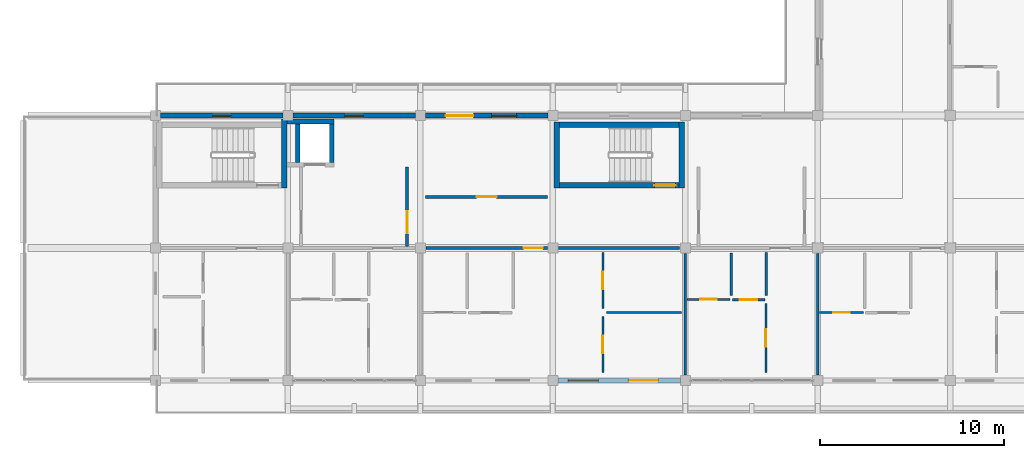
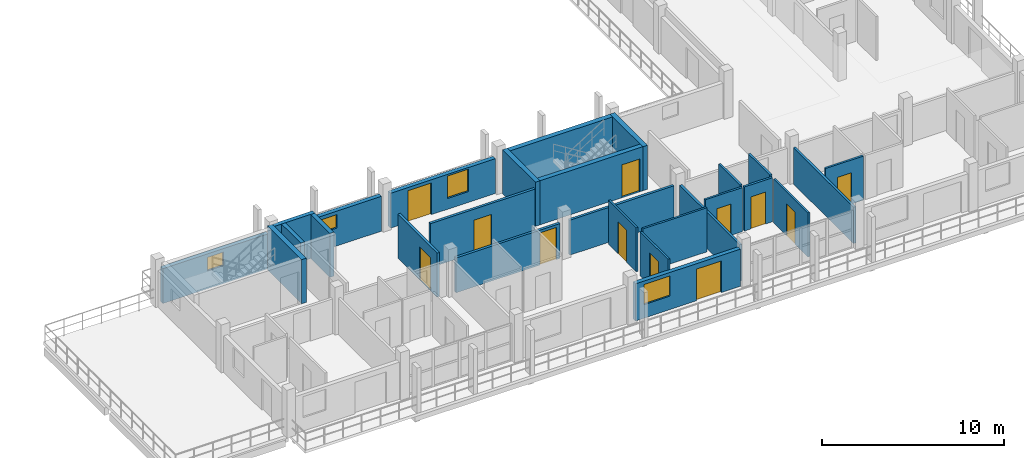
# One storey, part 45 of 65: 27 walls, 12 doors, 4 windows, 16 openings.
"""IFC4 building model written with IfcOpenShell, lengths in metres."""

from ifc_helpers import new_model, si_unit, direction, frame, frame_2d, origin, place, context, subcontext, project, spatial, rectangle, extrude, material, layer, layer_set, type_object, element, fill, save


model = new_model("IFC4")

# Units and contexts
model_context = context("Model", 3, precision=1e-05, world=origin(), true_north=direction((0.0, 1.0)))
body_context = subcontext(model_context, "Body", "Model", "MODEL_VIEW")
ifc_project = project(units=[si_unit("LENGTHUNIT", "METRE"), si_unit("AREAUNIT", "SQUARE_METRE"), si_unit("VOLUMEUNIT", "CUBIC_METRE"), si_unit("PLANEANGLEUNIT", "RADIAN"), si_unit("MASSUNIT", "GRAM", prefix="KILO")], contexts=[model_context])

# Site, building, storey
site_placement = place(None, origin())
site = spatial("IfcSite", under=ifc_project, at=site_placement, CompositionType="ELEMENT")
building_placement = place(site_placement, origin())
building = spatial("IfcBuilding", under=site, at=building_placement, Name="Suanplinth Sawtooth Commons", CompositionType="ELEMENT")
storey_placement = place(building_placement, frame((0.0, 0.0, 28.300048828125)))
storey = spatial("IfcBuildingStorey", under=building, at=storey_placement, Name="L08", CompositionType="ELEMENT", Elevation=28.300048828125)

# Wall
ifc_material_1 = material(Name="Concrete C40/50", Category="concrete")
ifc_layer_1 = layer(ifc_material_1, 0.300048828125, Name="Standard RC stair and lift core wall 300mm")
ifc_layer_set_1 = layer_set([ifc_layer_1], Name="Concrete C40/50")
wall_type_1 = type_object("IfcWallType", Name="W-CR02", PredefinedType="SHEAR", material=ifc_layer_set_1)
wall_1_placement = place(storey_placement, frame((143.800048828125, 10.449951171875, 0.0), z_axis=(0.0, 0.0, 1.0), x_axis=(0.0, 1.0, 0.0)))
element("IfcWall", 1, at=wall_1_placement, inside=storey, type_object=wall_type_1, Name="W-L08-C-C1-STE", PredefinedType="SHEAR", context=body_context, shape_type="SweptSolid", body=[
    extrude(rectangle(XDim=3.75, YDim=0.300048828125, at=frame_2d((1.875, 0.0))), origin(), (0.0, 0.0, 1.0), 2.949951171875),
])

# Wall, opening, door
wall_2_placement = place(storey_placement, frame((158.75, 10.60009765625, 0.0), z_axis=(0.0, 0.0, 1.0), x_axis=(1.0, 0.0, 0.0)))
wall_2 = element("IfcWall", 2, at=wall_2_placement, inside=storey, type_object=wall_type_1, Name="W-L08-C-C2-STS", PredefinedType="SHEAR", context=body_context, shape_type="SweptSolid", body=[
    extrude(rectangle(XDim=6.5, YDim=0.300048828125, at=frame_2d((3.25, 0.0))), origin(), (0.0, 0.0, 1.0), 2.949951171875),
])
opening_1_placement = place(wall_2_placement, frame((5.169921875, 0.0, 0.0)))
opening_1 = element("IfcOpeningElement", 3, at=opening_1_placement, cuts=wall_2, Name="Opening FD0348", PredefinedType="OPENING", context=body_context, shape_type="SweptSolid", body=[
    extrude(rectangle(XDim=1.14990234375, YDim=2.199951171875, at=frame_2d((0.574951171875, 1.10009765625))), frame((0.0, 0.1650390625, 0.0), z_axis=(0.0, -1.0, 0.0), x_axis=(1.0, 0.0, 0.0)), (0.0, 0.0, 1.0), 0.329833984375),
])
ifc_material_2 = material(Name="Teak hardwood fire-rated door assembly", Category="wood")
door_type_1 = type_object("IfcDoorType", Name="FD-01", OperationType="NOTDEFINED", PredefinedType="DOOR", material=ifc_material_2)
door_1_placement = place(opening_1_placement, origin())
door_1 = element("IfcDoor", 4, at=door_1_placement, inside=storey, type_object=door_type_1, Name="Exit Stair Fire Door FD0348", OperationType="SINGLE_SWING_LEFT", OverallHeight=2.199951171875, OverallWidth=1.14990234375, PredefinedType="DOOR", context=body_context, shape_type="SweptSolid", body=[
    extrude(rectangle(XDim=1.14990234375, YDim=2.199951171875, at=frame_2d((0.574951171875, 1.10009765625))), frame((0.0, 0.02490234375, 0.0), z_axis=(0.0, -1.0, 0.0), x_axis=(1.0, 0.0, 0.0)), (0.0, 0.0, 1.0), 0.050048828125),
])
fill(opening_1, door_1)

# Walls
wall_3_placement = place(storey_placement, frame((158.75, 13.89990234375, 0.0), z_axis=(0.0, 0.0, 1.0), x_axis=(1.0, 0.0, 0.0)))
element("IfcWall", 5, at=wall_3_placement, inside=storey, type_object=wall_type_1, Name="W-L08-C-C2-STN", PredefinedType="SHEAR", context=body_context, shape_type="SweptSolid", body=[
    extrude(rectangle(XDim=6.5, YDim=0.300048828125, at=frame_2d((3.25, 0.0))), origin(), (0.0, 0.0, 1.0), 2.949951171875),
])
for number, where, z_axis, x_axis, name in (
    (6, (158.60009765625, 10.449951171875, 0.0), (0.0, 0.0, 1.0), (0.0, 1.0, 0.0), "W-L08-C-C2-STW"),
    (7, (165.39990234375, 10.449951171875, 0.0), (0.0, 0.0, 1.0), (0.0, 1.0, 0.0), "W-L08-C-C2-STE"),
):
    element("IfcWall", number, at=place(storey_placement, frame(where, z_axis=z_axis, x_axis=x_axis)), inside=storey, type_object=wall_type_1, Name=name, PredefinedType="SHEAR", context=body_context, shape_type="SweptSolid", body=[
        extrude(rectangle(XDim=3.60009765625, YDim=0.300048828125, at=frame_2d((1.800048828125, 0.0))), origin(), (0.0, 0.0, 1.0), 2.949951171875),
    ])

# Wall, opening, window
ifc_material_3 = material(Name="Precast concrete C40/50", Category="concrete")
ifc_layer_2 = layer(ifc_material_3, 0.260009765625, Name="Insulated precast courtyard facade wall 260mm")
ifc_layer_set_2 = layer_set([ifc_layer_2], Name="Precast concrete C40/50")
wall_type_2 = type_object("IfcWallType", Name="W-EX02", PredefinedType="ELEMENTEDWALL", material=ifc_layer_set_2)
wall_4_placement = place(storey_placement, frame((137.074951171875, 14.39990234375, 0.0), z_axis=(0.0, 0.0, 1.0), x_axis=(1.0, 0.0, 0.0)))
wall_4 = element("IfcWall", 8, at=wall_4_placement, inside=storey, type_object=wall_type_2, Name="Facade Wall W-L08-C-N-19-1", PredefinedType="ELEMENTEDWALL", context=body_context, shape_type="SweptSolid", body=[
    extrude(rectangle(XDim=6.650146484375, YDim=0.260009765625, at=frame_2d((3.3251953125, 0.0))), origin(), (0.0, 0.0, 1.0), 2.3349609375),
])
opening_2_placement = place(wall_4_placement, frame((2.824951171875, 0.0, 1.199951171875)))
opening_2 = element("IfcOpeningElement", 9, at=opening_2_placement, cuts=wall_4, Name="Opening W0742", PredefinedType="OPENING", context=body_context, shape_type="SweptSolid", body=[
    extrude(rectangle(XDim=1.0, YDim=0.89990234375, at=frame_2d((0.5, 0.449951171875))), frame((0.0, 0.14501953125, 0.0), z_axis=(0.0, -1.0, 0.0), x_axis=(1.0, 0.0, 0.0)), (0.0, 0.0, 1.0), 0.289794921875),
])
ifc_material_4 = material(Name="Thermally broken aluminium and low-E double glazing", Category="aluminium")
window_type_1 = type_object("IfcWindowType", Name="WN-12", PartitioningType="SINGLE_PANEL", PredefinedType="WINDOW", material=ifc_material_4)
window_1_placement = place(opening_2_placement, origin())
window_1 = element("IfcWindow", 10, at=window_1_placement, inside=storey, type_object=window_type_1, Name="Core Daylight Window L08-C-19-1", OverallHeight=0.89990234375, OverallWidth=1.0, PartitioningType="SINGLE_PANEL", PredefinedType="WINDOW", context=body_context, shape_type="SweptSolid", body=[
    extrude(rectangle(XDim=1.0, YDim=0.89990234375, at=frame_2d((0.5, 0.449951171875))), frame((0.0, 0.030029296875, 0.0), z_axis=(0.0, -1.0, 0.0), x_axis=(1.0, 0.0, 0.0)), (0.0, 0.0, 1.0), 0.06005859375),
])
fill(opening_2, window_1)

wall_5_placement = place(storey_placement, frame((144.27490234375, 14.39990234375, 0.0), z_axis=(0.0, 0.0, 1.0), x_axis=(1.0, 0.0, 0.0)))
wall_5 = element("IfcWall", 11, at=wall_5_placement, inside=storey, type_object=wall_type_2, Name="Facade Wall W-L08-C-N-20-1", PredefinedType="ELEMENTEDWALL", context=body_context, shape_type="SweptSolid", body=[
    extrude(rectangle(XDim=6.650146484375, YDim=0.260009765625, at=frame_2d((3.3251953125, 0.0))), origin(), (0.0, 0.0, 1.0), 2.3349609375),
])
opening_3_placement = place(wall_5_placement, frame((2.824951171875, 0.0, 1.199951171875)))
opening_3 = element("IfcOpeningElement", 12, at=opening_3_placement, cuts=wall_5, Name="Opening W0744", PredefinedType="OPENING", context=body_context, shape_type="SweptSolid", body=[
    extrude(rectangle(XDim=1.0, YDim=0.89990234375, at=frame_2d((0.5, 0.449951171875))), frame((0.0, 0.14501953125, 0.0), z_axis=(0.0, -1.0, 0.0), x_axis=(1.0, 0.0, 0.0)), (0.0, 0.0, 1.0), 0.289794921875),
])
window_2_placement = place(opening_3_placement, origin())
window_2 = element("IfcWindow", 13, at=window_2_placement, inside=storey, type_object=window_type_1, Name="Core Daylight Window L08-C-20-1", OverallHeight=0.89990234375, OverallWidth=1.0, PartitioningType="SINGLE_PANEL", PredefinedType="WINDOW", context=body_context, shape_type="SweptSolid", body=[
    extrude(rectangle(XDim=1.0, YDim=0.89990234375, at=frame_2d((0.5, 0.449951171875))), frame((0.0, 0.030029296875, 0.0), z_axis=(0.0, -1.0, 0.0), x_axis=(1.0, 0.0, 0.0)), (0.0, 0.0, 1.0), 0.06005859375),
])
fill(opening_3, window_2)

# Wall, openings, door, window
wall_6_placement = place(storey_placement, frame((151.47509765625, 14.39990234375, 0.0), z_axis=(0.0, 0.0, 1.0), x_axis=(1.0, 0.0, 0.0)))
wall_6 = element("IfcWall", 14, at=wall_6_placement, inside=storey, type_object=wall_type_2, Name="Facade Wall W-L08-C-N-21-1", PredefinedType="ELEMENTEDWALL", context=body_context, shape_type="SweptSolid", body=[
    extrude(rectangle(XDim=6.64990234375, YDim=0.260009765625, at=frame_2d((3.324951171875, 0.0))), origin(), (0.0, 0.0, 1.0), 2.3349609375),
])
opening_4_placement = place(wall_6_placement, frame((1.10009765625, 0.0, 0.0)))
opening_4 = element("IfcOpeningElement", 15, at=opening_4_placement, cuts=wall_6, Name="Opening ED0663", PredefinedType="OPENING", context=body_context, shape_type="SweptSolid", body=[
    extrude(rectangle(XDim=1.5, YDim=2.1201171875, at=frame_2d((0.75, 1.06005859375))), frame((0.0, 0.14501953125, 0.0), z_axis=(0.0, -1.0, 0.0), x_axis=(1.0, 0.0, 0.0)), (0.0, 0.0, 1.0), 0.289794921875),
])
opening_5_placement = place(wall_6_placement, frame((3.60009765625, 0.0, 0.72509765625)))
opening_5 = element("IfcOpeningElement", 16, at=opening_5_placement, cuts=wall_6, Name="Opening W0746", PredefinedType="OPENING", context=body_context, shape_type="SweptSolid", body=[
    extrude(rectangle(XDim=1.35009765625, YDim=1.5, at=frame_2d((0.675048828125, 0.75))), frame((0.0, 0.14501953125, 0.0), z_axis=(0.0, -1.0, 0.0), x_axis=(1.0, 0.0, 0.0)), (0.0, 0.0, 1.0), 0.289794921875),
])
ifc_material_5 = material(Name="Anodized aluminium and low-E glass", Category="aluminium")
door_type_2 = type_object("IfcDoorType", Name="SD-03", OperationType="SLIDING_TO_LEFT", PredefinedType="DOOR", material=ifc_material_5)
door_2_placement = place(opening_4_placement, frame((1.5, 0.0, 0.0), z_axis=(0.0, 0.0, 1.0), x_axis=(-1.0, 0.0, 0.0)))
door_2 = element("IfcDoor", 17, at=door_2_placement, inside=storey, type_object=door_type_2, Name="Courtyard Balcony Door L08-C-21", OperationType="SLIDING_TO_LEFT", OverallHeight=2.1201171875, OverallWidth=1.5, PredefinedType="DOOR", context=body_context, shape_type="SweptSolid", body=[
    extrude(rectangle(XDim=1.5, YDim=2.1201171875, at=frame_2d((0.75, 1.06005859375))), frame((0.0, 0.02490234375, 0.0), z_axis=(0.0, -1.0, 0.0), x_axis=(1.0, 0.0, 0.0)), (0.0, 0.0, 1.0), 0.050048828125),
])
fill(opening_4, door_2)
window_type_2 = type_object("IfcWindowType", Name="WN-14", PartitioningType="SINGLE_PANEL", PredefinedType="WINDOW", material=ifc_material_4)
window_3_placement = place(opening_5_placement, origin())
window_3 = element("IfcWindow", 18, at=window_3_placement, inside=storey, type_object=window_type_2, Name="Courtyard Window L08-C-21", OverallHeight=1.5, OverallWidth=1.35009765625, PartitioningType="SINGLE_PANEL", PredefinedType="WINDOW", context=body_context, shape_type="SweptSolid", body=[
    extrude(rectangle(XDim=1.35009765625, YDim=1.5, at=frame_2d((0.675048828125, 0.75))), frame((0.0, 0.030029296875, 0.0), z_axis=(0.0, -1.0, 0.0), x_axis=(1.0, 0.0, 0.0)), (0.0, 0.0, 1.0), 0.06005859375),
])
fill(opening_5, window_3)

wall_7_placement = place(storey_placement, frame((158.675048828125, 0.0, 0.0), z_axis=(0.0, 0.0, 1.0), x_axis=(1.0, 0.0, 0.0)))
wall_7 = element("IfcWall", 19, at=wall_7_placement, inside=storey, type_object=wall_type_2, Name="Facade Wall W-L08-C-S-22-0", PredefinedType="ELEMENTEDWALL", context=body_context, shape_type="SweptSolid", body=[
    extrude(rectangle(XDim=6.64990234375, YDim=0.260009765625, at=frame_2d((3.324951171875, 0.0))), origin(), (0.0, 0.0, 1.0), 2.48486328125),
])
opening_6_placement = place(wall_7_placement, frame((3.85009765625, 0.0, 0.0)))
opening_6 = element("IfcOpeningElement", 20, at=opening_6_placement, cuts=wall_7, Name="Opening ED0664", PredefinedType="OPENING", context=body_context, shape_type="SweptSolid", body=[
    extrude(rectangle(XDim=1.60009765625, YDim=2.1201171875, at=frame_2d((0.800048828125, 1.06005859375))), frame((0.0, 0.14501953125, 0.0), z_axis=(0.0, -1.0, 0.0), x_axis=(1.0, 0.0, 0.0)), (0.0, 0.0, 1.0), 0.289794921875),
])
opening_7_placement = place(wall_7_placement, frame((0.550048828125, 0.0, 0.89990234375)))
opening_7 = element("IfcOpeningElement", 21, at=opening_7_placement, cuts=wall_7, Name="Opening W0747", PredefinedType="OPENING", context=body_context, shape_type="SweptSolid", body=[
    extrude(rectangle(XDim=1.64990234375, YDim=1.35009765625, at=frame_2d((0.824951171875, 0.675048828125))), frame((0.0, 0.14501953125, 0.0), z_axis=(0.0, -1.0, 0.0), x_axis=(1.0, 0.0, 0.0)), (0.0, 0.0, 1.0), 0.289794921875),
])
door_type_3 = type_object("IfcDoorType", Name="SD-02", OperationType="SLIDING_TO_RIGHT", PredefinedType="DOOR", material=ifc_material_5)
door_3_placement = place(opening_6_placement, frame((1.60009765625, 0.0, 0.0), z_axis=(0.0, 0.0, 1.0), x_axis=(-1.0, 0.0, 0.0)))
door_3 = element("IfcDoor", 22, at=door_3_placement, inside=storey, type_object=door_type_3, Name="Balcony Sliding Door L08-C-22", OperationType="SLIDING_TO_RIGHT", OverallHeight=2.1201171875, OverallWidth=1.60009765625, PredefinedType="DOOR", context=body_context, shape_type="SweptSolid", body=[
    extrude(rectangle(XDim=1.60009765625, YDim=2.1201171875, at=frame_2d((0.800048828125, 1.06005859375))), frame((0.0, 0.02490234375, 0.0), z_axis=(0.0, -1.0, 0.0), x_axis=(1.0, 0.0, 0.0)), (0.0, 0.0, 1.0), 0.050048828125),
])
fill(opening_6, door_3)
window_type_3 = type_object("IfcWindowType", Name="WN-19", PartitioningType="DOUBLE_PANEL_VERTICAL", PredefinedType="WINDOW", material=ifc_material_4)
window_4_placement = place(opening_7_placement, origin())
window_4 = element("IfcWindow", 23, at=window_4_placement, inside=storey, type_object=window_type_3, Name="Apartment Window L08-C-22", OverallHeight=1.35009765625, OverallWidth=1.64990234375, PartitioningType="DOUBLE_PANEL_VERTICAL", PredefinedType="WINDOW", context=body_context, shape_type="SweptSolid", body=[
    extrude(rectangle(XDim=1.64990234375, YDim=1.35009765625, at=frame_2d((0.824951171875, 0.675048828125))), frame((0.0, 0.030029296875, 0.0), z_axis=(0.0, -1.0, 0.0), x_axis=(1.0, 0.0, 0.0)), (0.0, 0.0, 1.0), 0.06005859375),
])
fill(opening_7, window_4)

# Wall, opening, door
ifc_layer_3 = layer(ifc_material_3, 0.159912109375, Name="Fire-rated corridor and lobby wall 160mm")
ifc_layer_set_3 = layer_set([ifc_layer_3], Name="Precast concrete C40/50")
wall_type_3 = type_object("IfcWallType", Name="W-FW01", PredefinedType="PARTITIONING", material=ifc_layer_set_3)
wall_8_placement = place(storey_placement, frame((150.47998046875, 7.280029296875, 0.0), z_axis=(0.0, 0.0, 1.0), x_axis=(0.0, 1.0, 0.0)))
wall_8 = element("IfcWall", 24, at=wall_8_placement, inside=storey, type_object=wall_type_3, Name="W-L08-C-C1-LOB-E", PredefinedType="PARTITIONING", context=body_context, shape_type="SweptSolid", body=[
    extrude(rectangle(XDim=4.320068359375, YDim=0.159912109375, at=frame_2d((2.16015625, 0.0))), origin(), (0.0, 0.0, 1.0), 2.949951171875),
])
opening_8_placement = place(wall_8_placement, frame((0.719970703125, 0.0, 0.0)))
opening_8 = element("IfcOpeningElement", 25, at=opening_8_placement, cuts=wall_8, Name="Opening FD0314", PredefinedType="OPENING", context=body_context, shape_type="SweptSolid", body=[
    extrude(rectangle(XDim=1.199951171875, YDim=2.199951171875, at=frame_2d((0.60009765625, 1.10009765625))), frame((0.0, 0.0947265625, 0.0), z_axis=(0.0, -1.0, 0.0), x_axis=(1.0, 0.0, 0.0)), (0.0, 0.0, 1.0), 0.189697265625),
])
door_type_4 = type_object("IfcDoorType", Name="FD-02", OperationType="NOTDEFINED", PredefinedType="DOOR", material=ifc_material_2)
door_4_placement = place(opening_8_placement, frame((1.199951171875, 0.0, 0.0), z_axis=(0.0, 0.0, 1.0), x_axis=(-1.0, 0.0, 0.0)))
door_4 = element("IfcDoor", 26, at=door_4_placement, inside=storey, type_object=door_type_4, Name="Lobby Fire Door FD0314", OperationType="SINGLE_SWING_RIGHT", OverallHeight=2.199951171875, OverallWidth=1.199951171875, PredefinedType="DOOR", context=body_context, shape_type="SweptSolid", body=[
    extrude(rectangle(XDim=1.199951171875, YDim=2.199951171875, at=frame_2d((0.60009765625, 1.10009765625))), frame((0.0, 0.02490234375, 0.0), z_axis=(0.0, -1.0, 0.0), x_axis=(1.0, 0.0, 0.0)), (0.0, 0.0, 1.0), 0.050048828125),
])
fill(opening_8, door_4)

wall_9_placement = place(storey_placement, frame((151.5048828125, 7.199951171875, 0.0), z_axis=(0.0, 0.0, 1.0), x_axis=(1.0, 0.0, 0.0)))
wall_9 = element("IfcWall", 27, at=wall_9_placement, inside=storey, type_object=wall_type_3, Name="W-C-L08-U03-COR-S1", PredefinedType="PARTITIONING", context=body_context, shape_type="SweptSolid", body=[
    extrude(rectangle(XDim=6.590087890625, YDim=0.159912109375, at=frame_2d((3.294921875, 0.0))), origin(), (0.0, 0.0, 1.0), 2.3349609375),
])
opening_9_placement = place(wall_9_placement, frame((5.300048828125, 0.0, 0.0)))
opening_9 = element("IfcOpeningElement", 28, at=opening_9_placement, cuts=wall_9, Name="Opening FD1708", PredefinedType="OPENING", context=body_context, shape_type="SweptSolid", body=[
    extrude(rectangle(XDim=1.050048828125, YDim=2.14990234375, at=frame_2d((0.52490234375, 1.074951171875))), frame((0.0, 0.0947265625, 0.0), z_axis=(0.0, -1.0, 0.0), x_axis=(1.0, 0.0, 0.0)), (0.0, 0.0, 1.0), 0.189697265625),
])
door_type_5 = type_object("IfcDoorType", Name="FD-04", OperationType="NOTDEFINED", PredefinedType="DOOR", material=ifc_material_2)
door_5_placement = place(opening_9_placement, frame((1.050048828125, 0.0, 0.0), z_axis=(0.0, 0.0, 1.0), x_axis=(-1.0, 0.0, 0.0)))
door_5 = element("IfcDoor", 29, at=door_5_placement, inside=storey, type_object=door_type_5, Name="Unit Entrance Door FD1708", OperationType="SINGLE_SWING_RIGHT", OverallHeight=2.14990234375, OverallWidth=1.050048828125, PredefinedType="DOOR", context=body_context, shape_type="SweptSolid", body=[
    extrude(rectangle(XDim=1.050048828125, YDim=2.14990234375, at=frame_2d((0.52490234375, 1.074951171875))), frame((0.0, 0.02490234375, 0.0), z_axis=(0.0, -1.0, 0.0), x_axis=(1.0, 0.0, 0.0)), (0.0, 0.0, 1.0), 0.050048828125),
])
fill(opening_9, door_5)

# Wall
wall_10_placement = place(storey_placement, frame((158.705078125, 7.199951171875, 0.0), z_axis=(0.0, 0.0, 1.0), x_axis=(1.0, 0.0, 0.0)))
element("IfcWall", 30, at=wall_10_placement, inside=storey, type_object=wall_type_3, Name="W-C-L08-U03-COR-S2", PredefinedType="PARTITIONING", context=body_context, shape_type="SweptSolid", body=[
    extrude(rectangle(XDim=6.58984375, YDim=0.159912109375, at=frame_2d((3.294921875, 0.0))), origin(), (0.0, 0.0, 1.0), 2.3349609375),
])

# Wall, opening, door
wall_11_placement = place(storey_placement, frame((151.47998046875, 9.97998046875, 0.0), z_axis=(0.0, 0.0, 1.0), x_axis=(1.0, 0.0, 0.0)))
wall_11 = element("IfcWall", 31, at=wall_11_placement, inside=storey, type_object=wall_type_3, Name="W-C-L08-COURTROOM-35-COR", PredefinedType="PARTITIONING", context=body_context, shape_type="SweptSolid", body=[
    extrude(rectangle(XDim=6.64013671875, YDim=0.159912109375, at=frame_2d((3.320068359375, 0.0))), origin(), (0.0, 0.0, 1.0), 2.949951171875),
])
opening_10_placement = place(wall_11_placement, frame((2.780029296875, 0.0, 0.0)))
opening_10 = element("IfcOpeningElement", 32, at=opening_10_placement, cuts=wall_11, Name="Opening D1722", PredefinedType="OPENING", context=body_context, shape_type="SweptSolid", body=[
    extrude(rectangle(XDim=1.080078125, YDim=2.219970703125, at=frame_2d((0.5400390625, 1.10986328125))), frame((0.0, 0.0947265625, 0.0), z_axis=(0.0, -1.0, 0.0), x_axis=(1.0, 0.0, 0.0)), (0.0, 0.0, 1.0), 0.189697265625),
])
ifc_material_6 = material(Name="Teak hardwood", Category="wood")
door_type_6 = type_object("IfcDoorType", Name="D-17", OperationType="NOTDEFINED", PredefinedType="DOOR", material=ifc_material_6)
door_6_placement = place(opening_10_placement, origin())
door_6 = element("IfcDoor", 33, at=door_6_placement, inside=storey, type_object=door_type_6, Name="Study Studio Door D1722", OperationType="SINGLE_SWING_RIGHT", OverallHeight=2.219970703125, OverallWidth=1.080078125, PredefinedType="DOOR", context=body_context, shape_type="SweptSolid", body=[
    extrude(rectangle(XDim=1.080078125, YDim=2.219970703125, at=frame_2d((0.5400390625, 1.10986328125))), frame((0.0, 0.02490234375, 0.0), z_axis=(0.0, -1.0, 0.0), x_axis=(1.0, 0.0, 0.0)), (0.0, 0.0, 1.0), 0.050048828125),
])
fill(opening_10, door_6)

# Walls
ifc_layer_4 = layer(ifc_material_3, 0.14990234375, Name="Acoustic precast party demising wall 150mm")
ifc_layer_set_4 = layer_set([ifc_layer_4], Name="Precast concrete C40/50")
wall_type_4 = type_object("IfcWallType", Name="W-FW02", PredefinedType="PARTITIONING", material=ifc_layer_set_4)
for number, where, z_axis, x_axis, name in (
    (34, (165.60009765625, 0.304931640625, 0.0), (0.0, 0.0, 1.0), (0.0, 1.0, 0.0), "W-C-L08-U03-PTY"),
    (35, (172.800048828125, 0.304931640625, 0.0), (0.0, 0.0, 1.0), (0.0, 1.0, 0.0), "W-C-L08-U04-PTY"),
):
    element("IfcWall", number, at=place(storey_placement, frame(where, z_axis=z_axis, x_axis=x_axis)), inside=storey, type_object=wall_type_4, Name=name, PredefinedType="PARTITIONING", context=body_context, shape_type="SweptSolid", body=[
        extrude(rectangle(XDim=6.590087890625, YDim=0.14990234375, at=frame_2d((3.294921875, 0.0))), origin(), (0.0, 0.0, 1.0), 2.43505859375),
    ])

# Wall, opening, door
ifc_material_7 = material(Name="Gypsum plasterboard on steel stud", Category="steel")
ifc_layer_5 = layer(ifc_material_7, 0.139892578125, Name="Fire-rated kitchen partition 140mm")
ifc_layer_set_5 = layer_set([ifc_layer_5], Name="Gypsum plasterboard on steel stud")
wall_type_5 = type_object("IfcWallType", Name="W-PT01", PredefinedType="PARTITIONING", material=ifc_layer_set_5)
wall_12_placement = place(storey_placement, frame((168.14990234375, 4.39990234375, 0.0), z_axis=(0.0, 0.0, 1.0), x_axis=(1.0, 0.0, 0.0)))
wall_12 = element("IfcWall", 36, at=wall_12_placement, inside=storey, type_object=wall_type_5, Name="W-C-L08-U04-KIT1", PredefinedType="PARTITIONING", context=body_context, shape_type="SweptSolid", body=[
    extrude(rectangle(XDim=1.77001953125, YDim=0.139892578125, at=frame_2d((0.885009765625, 0.0))), origin(), (0.0, 0.0, 1.0), 2.949951171875),
])
opening_11_placement = place(wall_12_placement, frame((0.419921875, 0.0, 0.0)))
opening_11 = element("IfcOpeningElement", 37, at=opening_11_placement, cuts=wall_12, Name="Opening D1715", PredefinedType="OPENING", context=body_context, shape_type="SweptSolid", body=[
    extrude(rectangle(XDim=0.929931640625, YDim=2.139892578125, at=frame_2d((0.46484375, 1.06982421875))), frame((0.0, 0.0849609375, 0.0), z_axis=(0.0, -1.0, 0.0), x_axis=(1.0, 0.0, 0.0)), (0.0, 0.0, 1.0), 0.169677734375),
])
door_type_7 = type_object("IfcDoorType", Name="D-19", OperationType="NOTDEFINED", PredefinedType="DOOR", material=ifc_material_6)
door_7_placement = place(opening_11_placement, origin())
door_7 = element("IfcDoor", 38, at=door_7_placement, inside=storey, type_object=door_type_7, Name="Kitchen Door D1715", OperationType="SINGLE_SWING_LEFT", OverallHeight=2.139892578125, OverallWidth=0.929931640625, PredefinedType="DOOR", context=body_context, shape_type="SweptSolid", body=[
    extrude(rectangle(XDim=0.929931640625, YDim=2.139892578125, at=frame_2d((0.46484375, 1.06982421875))), frame((0.0, 0.02490234375, 0.0), z_axis=(0.0, -1.0, 0.0), x_axis=(1.0, 0.0, 0.0)), (0.0, 0.0, 1.0), 0.050048828125),
])
fill(opening_11, door_7)

# Wall
wall_13_placement = place(storey_placement, frame((169.989990234375, 4.6201171875, 0.0), z_axis=(0.0, 0.0, 1.0), x_axis=(0.0, 1.0, 0.0)))
element("IfcWall", 39, at=wall_13_placement, inside=storey, type_object=wall_type_5, Name="W-C-L08-U04-KIT2", PredefinedType="PARTITIONING", context=body_context, shape_type="SweptSolid", body=[
    extrude(rectangle(XDim=2.349853515625, YDim=0.139892578125, at=frame_2d((1.1748046875, 0.0))), origin(), (0.0, 0.0, 1.0), 2.949951171875),
])

# Wall, opening, door
ifc_layer_6 = layer(ifc_material_7, 0.1298828125, Name="Moisture-resistant bathroom partition 130mm")
ifc_layer_set_6 = layer_set([ifc_layer_6], Name="Gypsum plasterboard on steel stud")
wall_type_6 = type_object("IfcWallType", Name="W-PT02", PredefinedType="PARTITIONING", material=ifc_layer_set_6)
wall_14_placement = place(storey_placement, frame((165.679931640625, 4.405029296875, 0.0), z_axis=(0.0, 0.0, 1.0), x_axis=(1.0, 0.0, 0.0)))
wall_14 = element("IfcWall", 40, at=wall_14_placement, inside=storey, type_object=wall_type_6, Name="W-C-L08-U04-BTH1", PredefinedType="PARTITIONING", context=body_context, shape_type="SweptSolid", body=[
    extrude(rectangle(XDim=2.35009765625, YDim=0.1298828125, at=frame_2d((1.175048828125, 0.0))), origin(), (0.0, 0.0, 1.0), 2.949951171875),
])
opening_12_placement = place(wall_14_placement, frame((0.72509765625, 0.0, 0.0)))
opening_12 = element("IfcOpeningElement", 41, at=opening_12_placement, cuts=wall_14, Name="Opening D1714", PredefinedType="OPENING", context=body_context, shape_type="SweptSolid", body=[
    extrude(rectangle(XDim=0.89990234375, YDim=2.10009765625, at=frame_2d((0.449951171875, 1.050048828125))), frame((0.0, 0.079833984375, 0.0), z_axis=(0.0, -1.0, 0.0), x_axis=(1.0, 0.0, 0.0)), (0.0, 0.0, 1.0), 0.15966796875),
])
door_type_8 = type_object("IfcDoorType", Name="D-01", OperationType="NOTDEFINED", PredefinedType="DOOR", material=ifc_material_6)
door_8_placement = place(opening_12_placement, origin())
door_8 = element("IfcDoor", 42, at=door_8_placement, inside=storey, type_object=door_type_8, Name="Bathroom Door D1714", OperationType="SINGLE_SWING_RIGHT", OverallHeight=2.10009765625, OverallWidth=0.89990234375, PredefinedType="DOOR", context=body_context, shape_type="SweptSolid", body=[
    extrude(rectangle(XDim=0.89990234375, YDim=2.10009765625, at=frame_2d((0.449951171875, 1.050048828125))), frame((0.0, 0.02490234375, 0.0), z_axis=(0.0, -1.0, 0.0), x_axis=(1.0, 0.0, 0.0)), (0.0, 0.0, 1.0), 0.050048828125),
])
fill(opening_12, door_8)

# Wall
wall_15_placement = place(storey_placement, frame((168.094970703125, 4.610107421875, 0.0), z_axis=(0.0, 0.0, 1.0), x_axis=(0.0, 1.0, 0.0)))
element("IfcWall", 43, at=wall_15_placement, inside=storey, type_object=wall_type_6, Name="W-C-L08-U04-BTH2", PredefinedType="PARTITIONING", context=body_context, shape_type="SweptSolid", body=[
    extrude(rectangle(XDim=2.329833984375, YDim=0.1298828125, at=frame_2d((1.1650390625, 0.0))), origin(), (0.0, 0.0, 1.0), 2.949951171875),
])

# Wall, opening, door
wall_16_placement = place(storey_placement, frame((172.8798828125, 3.695068359375, 0.0), z_axis=(0.0, 0.0, 1.0), x_axis=(1.0, 0.0, 0.0)))
wall_16 = element("IfcWall", 44, at=wall_16_placement, inside=storey, type_object=wall_type_6, Name="W-C-L08-U05-BTH1", PredefinedType="PARTITIONING", context=body_context, shape_type="SweptSolid", body=[
    extrude(rectangle(XDim=2.400146484375, YDim=0.1298828125, at=frame_2d((1.2001953125, 0.0))), origin(), (0.0, 0.0, 1.0), 2.949951171875),
])
opening_13_placement = place(wall_16_placement, frame((0.75, 0.0, 0.0)))
opening_13 = element("IfcOpeningElement", 45, at=opening_13_placement, cuts=wall_16, Name="Opening D1718", PredefinedType="OPENING", context=body_context, shape_type="SweptSolid", body=[
    extrude(rectangle(XDim=0.89990234375, YDim=2.10009765625, at=frame_2d((0.449951171875, 1.050048828125))), frame((0.0, 0.079833984375, 0.0), z_axis=(0.0, -1.0, 0.0), x_axis=(1.0, 0.0, 0.0)), (0.0, 0.0, 1.0), 0.15966796875),
])
door_9_placement = place(opening_13_placement, origin())
door_9 = element("IfcDoor", 46, at=door_9_placement, inside=storey, type_object=door_type_8, Name="Bathroom Door D1718", OperationType="SINGLE_SWING_RIGHT", OverallHeight=2.10009765625, OverallWidth=0.89990234375, PredefinedType="DOOR", context=body_context, shape_type="SweptSolid", body=[
    extrude(rectangle(XDim=0.89990234375, YDim=2.10009765625, at=frame_2d((0.449951171875, 1.050048828125))), frame((0.0, 0.02490234375, 0.0), z_axis=(0.0, -1.0, 0.0), x_axis=(1.0, 0.0, 0.0)), (0.0, 0.0, 1.0), 0.050048828125),
])
fill(opening_13, door_9)

ifc_layer_7 = layer(ifc_material_7, 0.1201171875, Name="Acoustic bedroom partition 120mm")
ifc_layer_set_7 = layer_set([ifc_layer_7], Name="Gypsum plasterboard on steel stud")
wall_type_7 = type_object("IfcWallType", Name="W-PT03", PredefinedType="PARTITIONING", material=ifc_layer_set_7)
wall_17_placement = place(storey_placement, frame((161.1201171875, 0.43994140625, 0.0), z_axis=(0.0, 0.0, 1.0), x_axis=(0.0, 1.0, 0.0)))
wall_17 = element("IfcWall", 47, at=wall_17_placement, inside=storey, type_object=wall_type_7, Name="W-C-L08-U03-BED1", PredefinedType="PARTITIONING", context=body_context, shape_type="SweptSolid", body=[
    extrude(rectangle(XDim=3.0400390625, YDim=0.1201171875, at=frame_2d((1.52001953125, 0.0))), origin(), (0.0, 0.0, 1.0), 2.949951171875),
])
opening_14_placement = place(wall_17_placement, frame((1.044921875, 0.0, 0.0)))
opening_14 = element("IfcOpeningElement", 48, at=opening_14_placement, cuts=wall_17, Name="Opening D1711", PredefinedType="OPENING", context=body_context, shape_type="SweptSolid", body=[
    extrude(rectangle(XDim=0.949951171875, YDim=2.14990234375, at=frame_2d((0.47509765625, 1.074951171875))), frame((0.0, 0.074951171875, 0.0), z_axis=(0.0, -1.0, 0.0), x_axis=(1.0, 0.0, 0.0)), (0.0, 0.0, 1.0), 0.14990234375),
])
door_type_9 = type_object("IfcDoorType", Name="D-03", OperationType="NOTDEFINED", PredefinedType="DOOR", material=ifc_material_6)
door_10_placement = place(opening_14_placement, frame((0.949951171875, 0.0, 0.0), z_axis=(0.0, 0.0, 1.0), x_axis=(-1.0, 0.0, 0.0)))
door_10 = element("IfcDoor", 49, at=door_10_placement, inside=storey, type_object=door_type_9, Name="Bedroom Door D1711", OperationType="SINGLE_SWING_LEFT", OverallHeight=2.14990234375, OverallWidth=0.949951171875, PredefinedType="DOOR", context=body_context, shape_type="SweptSolid", body=[
    extrude(rectangle(XDim=0.949951171875, YDim=2.14990234375, at=frame_2d((0.47509765625, 1.074951171875))), frame((0.0, 0.02490234375, 0.0), z_axis=(0.0, -1.0, 0.0), x_axis=(1.0, 0.0, 0.0)), (0.0, 0.0, 1.0), 0.050048828125),
])
fill(opening_14, door_10)

wall_18_placement = place(storey_placement, frame((161.1201171875, 3.919921875, 0.0), z_axis=(0.0, 0.0, 1.0), x_axis=(0.0, 1.0, 0.0)))
wall_18 = element("IfcWall", 50, at=wall_18_placement, inside=storey, type_object=wall_type_7, Name="W-C-L08-U03-BED2", PredefinedType="PARTITIONING", context=body_context, shape_type="SweptSolid", body=[
    extrude(rectangle(XDim=3.0400390625, YDim=0.1201171875, at=frame_2d((1.52001953125, 0.0))), origin(), (0.0, 0.0, 1.0), 2.949951171875),
])
opening_15_placement = place(wall_18_placement, frame((1.0400390625, 0.0, 0.0)))
opening_15 = element("IfcOpeningElement", 51, at=opening_15_placement, cuts=wall_18, Name="Opening D1712", PredefinedType="OPENING", context=body_context, shape_type="SweptSolid", body=[
    extrude(rectangle(XDim=0.9599609375, YDim=2.14990234375, at=frame_2d((0.47998046875, 1.074951171875))), frame((0.0, 0.074951171875, 0.0), z_axis=(0.0, -1.0, 0.0), x_axis=(1.0, 0.0, 0.0)), (0.0, 0.0, 1.0), 0.14990234375),
])
door_type_10 = type_object("IfcDoorType", Name="D-13", OperationType="NOTDEFINED", PredefinedType="DOOR", material=ifc_material_6)
door_11_placement = place(opening_15_placement, frame((0.9599609375, 0.0, 0.0), z_axis=(0.0, 0.0, 1.0), x_axis=(-1.0, 0.0, 0.0)))
door_11 = element("IfcDoor", 52, at=door_11_placement, inside=storey, type_object=door_type_10, Name="Second Bedroom Door D1712", OperationType="SINGLE_SWING_RIGHT", OverallHeight=2.14990234375, OverallWidth=0.9599609375, PredefinedType="DOOR", context=body_context, shape_type="SweptSolid", body=[
    extrude(rectangle(XDim=0.9599609375, YDim=2.14990234375, at=frame_2d((0.47998046875, 1.074951171875))), frame((0.0, 0.02490234375, 0.0), z_axis=(0.0, -1.0, 0.0), x_axis=(1.0, 0.0, 0.0)), (0.0, 0.0, 1.0), 0.050048828125),
])
fill(opening_15, door_11)

wall_19_placement = place(storey_placement, frame((169.97998046875, 0.43994140625, 0.0), z_axis=(0.0, 0.0, 1.0), x_axis=(0.0, 1.0, 0.0)))
wall_19 = element("IfcWall", 53, at=wall_19_placement, inside=storey, type_object=wall_type_7, Name="W-C-L08-U04-BED1", PredefinedType="PARTITIONING", context=body_context, shape_type="SweptSolid", body=[
    extrude(rectangle(XDim=3.75, YDim=0.1201171875, at=frame_2d((1.875, 0.0))), origin(), (0.0, 0.0, 1.0), 2.949951171875),
])
opening_16_placement = place(wall_19_placement, frame((1.39990234375, 0.0, 0.0)))
opening_16 = element("IfcOpeningElement", 54, at=opening_16_placement, cuts=wall_19, Name="Opening D1716", PredefinedType="OPENING", context=body_context, shape_type="SweptSolid", body=[
    extrude(rectangle(XDim=0.949951171875, YDim=2.14990234375, at=frame_2d((0.47509765625, 1.074951171875))), frame((0.0, 0.074951171875, 0.0), z_axis=(0.0, -1.0, 0.0), x_axis=(1.0, 0.0, 0.0)), (0.0, 0.0, 1.0), 0.14990234375),
])
door_12_placement = place(opening_16_placement, origin())
door_12 = element("IfcDoor", 55, at=door_12_placement, inside=storey, type_object=door_type_9, Name="Bedroom Door D1716", OperationType="SINGLE_SWING_RIGHT", OverallHeight=2.14990234375, OverallWidth=0.949951171875, PredefinedType="DOOR", context=body_context, shape_type="SweptSolid", body=[
    extrude(rectangle(XDim=0.949951171875, YDim=2.14990234375, at=frame_2d((0.47509765625, 1.074951171875))), frame((0.0, 0.02490234375, 0.0), z_axis=(0.0, -1.0, 0.0), x_axis=(1.0, 0.0, 0.0)), (0.0, 0.0, 1.0), 0.050048828125),
])
fill(opening_16, door_12)

# Walls
ifc_layer_8 = layer(ifc_material_7, 0.125, Name="Acoustic study partition 125mm")
ifc_layer_set_8 = layer_set([ifc_layer_8], Name="Gypsum plasterboard on steel stud")
wall_type_8 = type_object("IfcWallType", Name="W-PT06", PredefinedType="PARTITIONING", material=ifc_layer_set_8)
wall_20_placement = place(storey_placement, frame((161.320068359375, 3.699951171875, 0.0), z_axis=(0.0, 0.0, 1.0), x_axis=(1.0, 0.0, 0.0)))
element("IfcWall", 56, at=wall_20_placement, inside=storey, type_object=wall_type_8, Name="W-C-L08-U03-BEDDIV", PredefinedType="PARTITIONING", context=body_context, shape_type="SweptSolid", body=[
    extrude(rectangle(XDim=4.059814453125, YDim=0.125, at=frame_2d((2.02978515625, 0.0))), origin(), (0.0, 0.0, 1.0), 2.949951171875),
])
ifc_layer_9 = layer(ifc_material_3, 0.25, Name="Precast structural shear wall 250mm")
ifc_layer_set_9 = layer_set([ifc_layer_9], Name="Precast concrete C40/50")
wall_type_9 = type_object("IfcWallType", Name="W-SH01", PredefinedType="SHEAR", material=ifc_layer_set_9)
wall_21_placement = place(storey_placement, frame((143.949951171875, 14.074951171875, 0.0), z_axis=(0.0, 0.0, 1.0), x_axis=(1.0, 0.0, 0.0)))
element("IfcWall", 57, at=wall_21_placement, inside=storey, type_object=wall_type_9, Name="W-L08-LF5-N", PredefinedType="SHEAR", context=body_context, shape_type="SweptSolid", body=[
    extrude(rectangle(XDim=2.550048828125, YDim=0.25, at=frame_2d((1.27490234375, 0.0))), origin(), (0.0, 0.0, 1.0), 2.949951171875),
])
for number, where, z_axis, x_axis, name in (
    (58, (144.52490234375, 11.85009765625, 0.0), (0.0, 0.0, 1.0), (0.0, 1.0, 0.0), "W-L08-LF5-W"),
    (59, (146.375, 11.85009765625, 0.0), (0.0, 0.0, 1.0), (0.0, 1.0, 0.0), "W-L08-LF5-E"),
):
    element("IfcWall", number, at=place(storey_placement, frame(where, z_axis=z_axis, x_axis=x_axis)), inside=storey, type_object=wall_type_9, Name=name, PredefinedType="SHEAR", context=body_context, shape_type="SweptSolid", body=[
        extrude(rectangle(XDim=2.099853515625, YDim=0.25, at=frame_2d((1.0498046875, 0.0))), origin(), (0.0, 0.0, 1.0), 2.949951171875),
    ])

save(model, "model.ifc")
